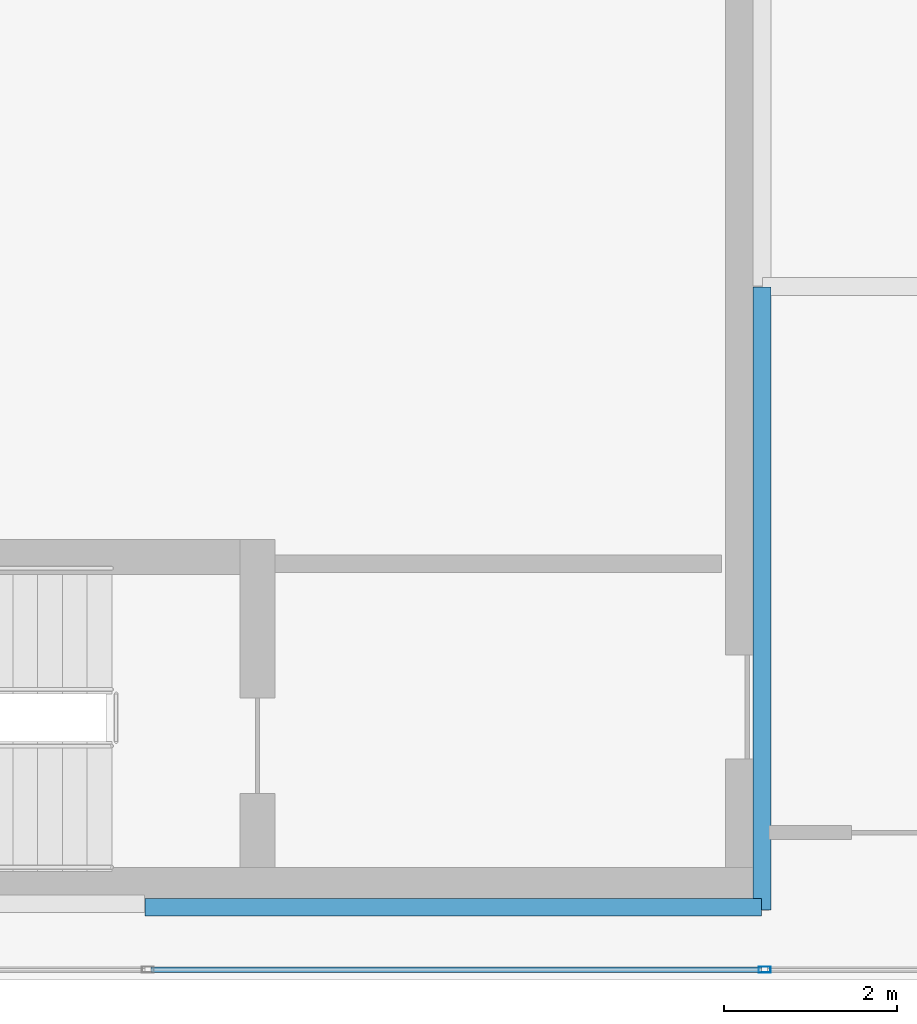
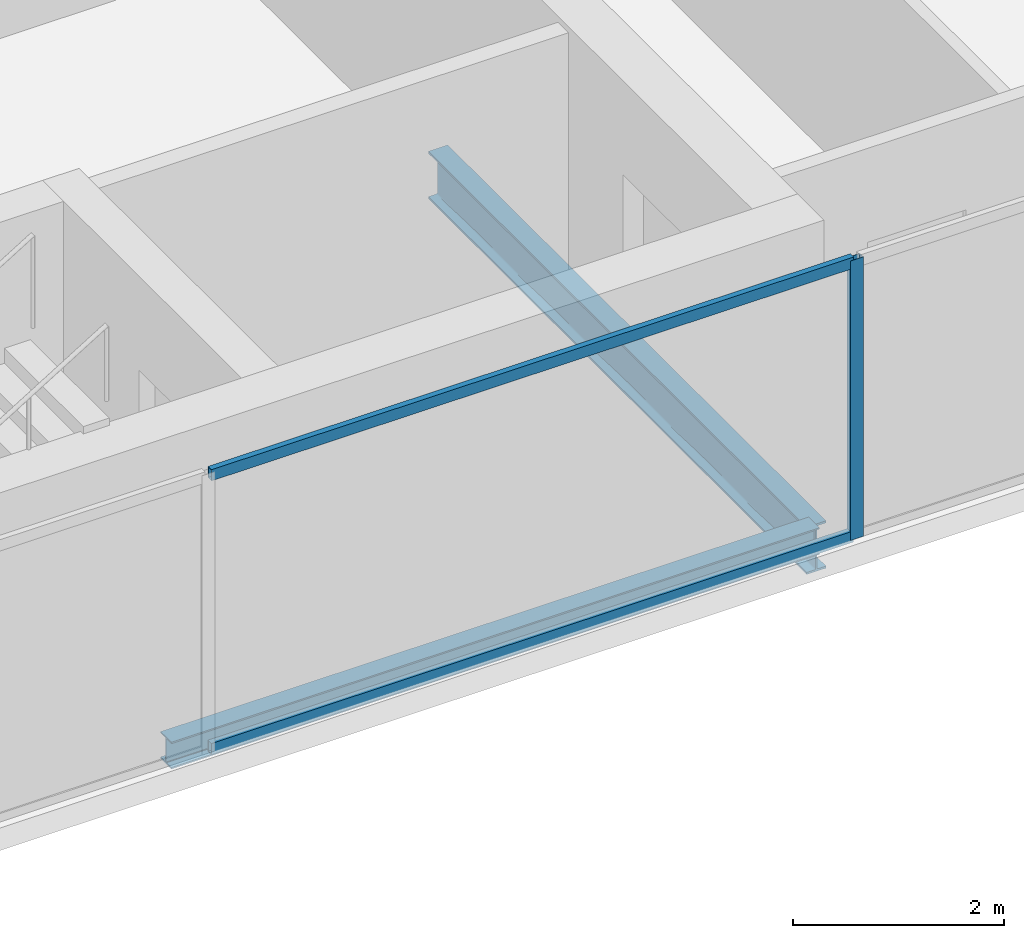
# One storey, part 3 of 23: 3 members, 2 beams, 1 element without a shape of its own.
"""IFC4 building model written with IfcOpenShell, lengths in metres."""

from ifc_helpers import new_model, si_unit, direction, frame, origin, origin_2d, place, context, subcontext, project, spatial, hollow_rectangle, i_section, extrude, material, material_profile, profile_set, type_object, element, aggregate, save


model = new_model("IFC4")

# Units and contexts
model_context = context("Model", 3, precision=1e-05, world=origin(), true_north=direction((0.0, 1.0)))
body_context = subcontext(model_context, "Body", "Model", "MODEL_VIEW")
ifc_project = project(units=[si_unit("LENGTHUNIT", "METRE"), si_unit("AREAUNIT", "SQUARE_METRE"), si_unit("VOLUMEUNIT", "CUBIC_METRE"), si_unit("PLANEANGLEUNIT", "RADIAN"), si_unit("MASSUNIT", "GRAM", prefix="KILO")], contexts=[model_context])

# Site, building, storey
site_placement = place(None, origin())
site = spatial("IfcSite", under=ifc_project, at=site_placement, CompositionType="ELEMENT")
building_placement = place(site_placement, origin())
building = spatial("IfcBuilding", under=site, at=building_placement, Name="Cobrela Telecom Tower", CompositionType="ELEMENT")
storey_placement = place(building_placement, frame((0.0, 0.0, 279.64990234375)))
storey = spatial("IfcBuildingStorey", under=building, at=storey_placement, Name="L73", CompositionType="ELEMENT", Elevation=279.64990234375)

# Beams
ifc_material_1 = material(Name="Steel ASTM A992 Grade 50", Category="steel")
ifc_material_profile_1 = material_profile(ifc_material_1, i_section(OverallWidth=0.212890625, OverallDepth=0.549072265625, WebThickness=0.0146484375, FlangeThickness=0.023681640625, FilletRadius=0.013916015625, at=origin_2d()), Name="W21X93")
ifc_profile_set_1 = profile_set([ifc_material_profile_1], Name="Steel ASTM A992 Grade 50")
beam_type_1 = type_object("IfcBeamType", Name="BM-GIRD-08", PredefinedType="USERDEFINED", material=ifc_profile_set_1)
beam_1_placement = place(storey_placement, frame((14.320068359375, 7.205078125, -0.534423828125), z_axis=(0.0, 1.0, 0.0), x_axis=(-1.0, 0.0, 0.0)))
element("IfcBeam", 1, at=beam_1_placement, inside=storey, type_object=beam_type_1, Name="L73 Primary Girder Y21", ObjectType="GIRDER", PredefinedType="USERDEFINED", context=body_context, shape_type="SweptSolid", body=[
    extrude(i_section(OverallWidth=0.212890625, OverallDepth=0.549072265625, WebThickness=0.0146484375, FlangeThickness=0.023681640625, FilletRadius=0.013916015625, at=origin_2d()), origin(), (0.0, 0.0, 1.0), 7.18994140625),
])
ifc_material_profile_2 = material_profile(ifc_material_1, i_section(OverallWidth=0.205078125, OverallDepth=0.31005859375, WebThickness=0.009521484375, FlangeThickness=0.016357421875, FilletRadius=0.010986328125, at=origin_2d()), Name="W12X50")
ifc_profile_set_2 = profile_set([ifc_material_profile_2], Name="Steel ASTM A992 Grade 50")
beam_type_2 = type_object("IfcBeamType", Name="BM-SPAND-07", PredefinedType="SPANDREL", material=ifc_profile_set_2)
beam_2_placement = place(storey_placement, frame((7.205078125, 7.239990234375, -0.414794921875), z_axis=(1.0, 0.0, 0.0), x_axis=(0.0, 1.0, 0.0)))
element("IfcBeam", 2, at=beam_2_placement, inside=storey, type_object=beam_type_2, Name="L73 Perimeter Spandrel X02", PredefinedType="SPANDREL", context=body_context, shape_type="SweptSolid", body=[
    extrude(i_section(OverallWidth=0.205078125, OverallDepth=0.31005859375, WebThickness=0.009521484375, FlangeThickness=0.016357421875, FilletRadius=0.010986328125, at=origin_2d()), origin(), (0.0, 0.0, 1.0), 7.10986328125),
])

# Curtain wall, members
ifc_material_2 = material(Name="Anodized Bronze Aluminium 6063-T6", Category="aluminium")
curtain_wall_type = type_object("IfcCurtainWallType", Name="CW-SYS-OFF-HI", PredefinedType="USERDEFINED", material=ifc_material_2)
curtain_wall_placement = place(storey_placement, origin())
curtain_wall = element("IfcCurtainWall", 3, at=curtain_wall_placement, inside=storey, type_object=curtain_wall_type, Name="L73 Unitised Bronze Curtain Wall 15", ObjectType="UNITISED CURTAIN WALL", PredefinedType="USERDEFINED")
ifc_material_profile_3 = material_profile(ifc_material_2, hollow_rectangle(XDim=0.070068359375, YDim=0.139892578125, WallThickness=0.00390625, at=origin_2d()), Name="ALU 70x140x4")
ifc_profile_set_3 = profile_set([ifc_material_profile_3], Name="Anodized Bronze Aluminium 6063-T6")
member_type_1 = type_object("IfcMemberType", Name="CW-SYS-OFF-HI-MUL", PredefinedType="MULLION", material=ifc_profile_set_3)
member_1_placement = place(storey_placement, frame((14.35009765625, 6.52001953125, 0.0), z_axis=(0.0, 0.0, 1.0), x_axis=(0.0, -1.0, 0.0)))
member_1 = element("IfcMember", 4, at=member_1_placement, type_object=member_type_1, Name="CW-OFF-HI mullion 5", PredefinedType="MULLION", context=body_context, shape_type="SweptSolid", body=[
    extrude(hollow_rectangle(XDim=0.070068359375, YDim=0.139892578125, WallThickness=0.00390625, at=origin_2d()), origin(), (0.0, 0.0, 1.0), 3.239990234375),
])
ifc_material_profile_4 = material_profile(ifc_material_2, hollow_rectangle(XDim=0.06494140625, YDim=0.1298828125, WallThickness=0.00390625, at=origin_2d()), Name="ALU 65x130x4")
ifc_profile_set_4 = profile_set([ifc_material_profile_4], Name="Anodized Bronze Aluminium 6063-T6")
member_type_2 = type_object("IfcMemberType", Name="CW-SYS-OFF-HI-TRN", PredefinedType="USERDEFINED", material=ifc_profile_set_4)
member_2_placement = place(storey_placement, frame((14.31494140625, 6.52001953125, 0.03271484375), z_axis=(-1.0, 0.0, 0.0), x_axis=(0.0, -1.0, 0.0)))
member_2 = element("IfcMember", 5, at=member_2_placement, type_object=member_type_2, Name="CW-OFF-HI transom 5.1", ObjectType="TRANSOM", PredefinedType="USERDEFINED", context=body_context, shape_type="SweptSolid", body=[
    extrude(hollow_rectangle(XDim=0.06494140625, YDim=0.1298828125, WallThickness=0.00390625, at=origin_2d()), origin(), (0.0, 0.0, 1.0), 7.044921875),
])
member_3_placement = place(storey_placement, frame((14.31494140625, 6.52001953125, 3.20751953125), z_axis=(-1.0, 0.0, 0.0), x_axis=(0.0, -1.0, 0.0)))
member_3 = element("IfcMember", 6, at=member_3_placement, type_object=member_type_2, Name="CW-OFF-HI transom 5.2", ObjectType="TRANSOM", PredefinedType="USERDEFINED", context=body_context, shape_type="SweptSolid", body=[
    extrude(hollow_rectangle(XDim=0.06494140625, YDim=0.1298828125, WallThickness=0.00390625, at=origin_2d()), origin(), (0.0, 0.0, 1.0), 7.044921875),
])
aggregate(curtain_wall, [member_1, member_2, member_3])

save(model, "model.ifc")
